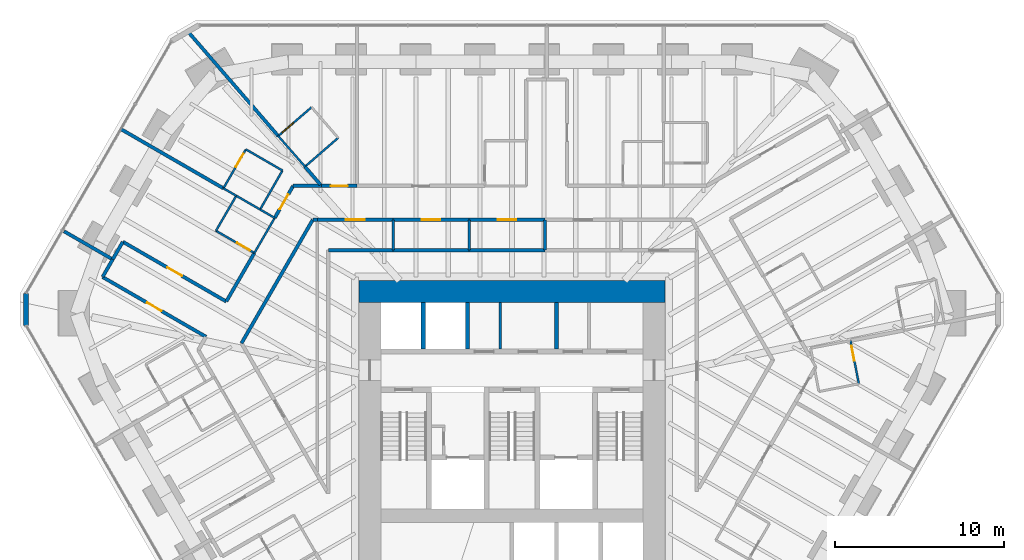
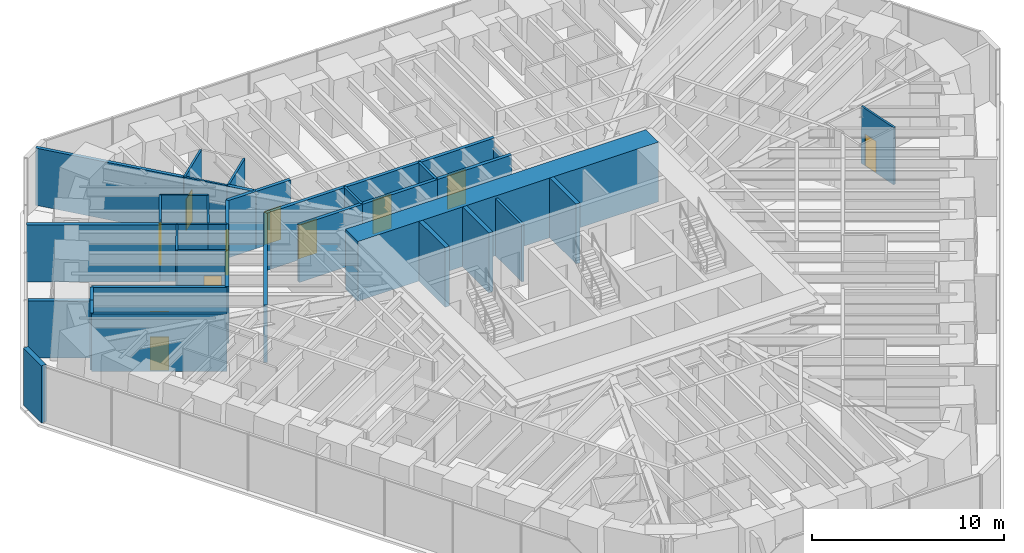
# One storey, part 14 of 17: 42 walls, 11 doors, 11 openings.
"""IFC4 building model written with IfcOpenShell, lengths in metres."""

from ifc_helpers import new_model, si_unit, direction, frame, frame_2d, origin, place, context, subcontext, project, spatial, rectangle, extrude, material, layer, layer_set, type_object, element, fill, save


model = new_model("IFC4")

# Units and contexts
model_context = context("Model", 3, precision=1e-05, world=origin(), true_north=direction((0.0, 1.0)))
body_context = subcontext(model_context, "Body", "Model", "MODEL_VIEW")
ifc_project = project(units=[si_unit("LENGTHUNIT", "METRE"), si_unit("AREAUNIT", "SQUARE_METRE"), si_unit("VOLUMEUNIT", "CUBIC_METRE"), si_unit("PLANEANGLEUNIT", "RADIAN"), si_unit("MASSUNIT", "GRAM", prefix="KILO")], contexts=[model_context])

# Site, building, storey
site_placement = place(None, origin())
site = spatial("IfcSite", under=ifc_project, at=site_placement, CompositionType="ELEMENT")
building_placement = place(site_placement, origin())
building = spatial("IfcBuilding", under=site, at=building_placement, Name="Sandreach Pilgrim Tower", CompositionType="ELEMENT")
storey_placement = place(building_placement, frame((0.0, 0.0, 165.199951171875)))
storey = spatial("IfcBuildingStorey", under=building, at=storey_placement, Name="L41", CompositionType="ELEMENT", Elevation=165.199951171875)

# Walls
ifc_material_1 = material(Name="Gypsum board on steel studs", Category="steel")
ifc_layer_1 = layer(ifc_material_1, 0.14990234375)
ifc_layer_set_1 = layer_set([ifc_layer_1], Name="Back of house wall 150")
wall_type_1 = type_object("IfcWallType", Name="Back of house wall 150", PredefinedType="PARTITIONING", material=ifc_layer_set_1)
for number, where, z_axis, x_axis, name in (
    (1, (-7.02001953125, 10.989990234375, 0.0), (0.0, 0.0, 1.0), (0.0, -1.0, 0.0), "Back of house wall L41-064"),
    (2, (-2.530029296875, 10.989990234375, 0.0), (0.0, 0.0, 1.0), (0.0, -1.0, 0.0), "Back of house wall L41-083"),
):
    element("IfcWall", number, at=place(storey_placement, frame(where, z_axis=z_axis, x_axis=x_axis)), inside=storey, type_object=wall_type_1, Name=name, PredefinedType="PARTITIONING", context=body_context, shape_type="SweptSolid", body=[
        extrude(rectangle(XDim=1.7900390625, YDim=0.14990234375, at=frame_2d((0.89501953125, 0.0))), origin(), (0.0, 0.0, 1.0), 3.64013671875),
    ])
wall_1_placement = place(storey_placement, frame((1.949951171875, 10.989990234375, 0.0), z_axis=(0.0, 0.0, 1.0), x_axis=(0.0, -1.0, 0.0)))
element("IfcWall", 3, at=wall_1_placement, inside=storey, type_object=wall_type_1, Name="Back of house wall L41-099", PredefinedType="PARTITIONING", context=body_context, shape_type="SweptSolid", body=[
    extrude(rectangle(XDim=1.7900390625, YDim=0.14990234375, at=frame_2d((0.89501953125, 0.0))), origin(), (0.0, 0.0, 1.0), 3.02294921875),
])
wall_2_placement = place(storey_placement, frame((-0.699951171875, 3.35009765625, 0.0), z_axis=(0.0, 0.0, 1.0), x_axis=(0.0, 1.0, 0.0)))
element("IfcWall", 4, at=wall_2_placement, inside=storey, type_object=wall_type_1, Name="Core room partition L41 1", PredefinedType="PARTITIONING", context=body_context, shape_type="SweptSolid", body=[
    extrude(rectangle(XDim=2.75, YDim=0.14990234375, at=frame_2d((1.375, 0.0))), origin(), (0.0, 0.0, 1.0), 3.64013671875),
])

# Wall, opening, door
ifc_material_2 = material(Name="Moisture-resistant gypsum board on steel studs", Category="steel")
ifc_layer_2 = layer(ifc_material_2, 0.1201171875)
ifc_layer_set_2 = layer_set([ifc_layer_2], Name="Bathroom partition 120")
wall_type_2 = type_object("IfcWallType", Name="Bathroom partition 120", PredefinedType="PARTITIONING", material=ifc_layer_set_2)
wall_3_placement = place(storey_placement, frame((-17.489990234375, 10.340087890625, 0.0), z_axis=(0.0, 0.0, 1.0), x_axis=(0.866114241029, -0.499846097802, 0.0)))
wall_3 = element("IfcWall", 5, at=wall_3_placement, inside=storey, type_object=wall_type_2, Name="Bathroom partition L41-022", PredefinedType="PARTITIONING", context=body_context, shape_type="SweptSolid", body=[
    extrude(rectangle(XDim=2.620849609375, YDim=0.1201171875, at=frame_2d((1.310546875, 0.0))), origin(), (0.0, 0.0, 1.0), 3.64013671875),
])
opening_1_placement = place(wall_3_placement, frame((1.4208984375, 0.0, 0.0)))
opening_1 = element("IfcOpeningElement", 6, at=opening_1_placement, cuts=wall_3, Name="Opening D09-17B", PredefinedType="OPENING", context=body_context, shape_type="SweptSolid", body=[
    extrude(rectangle(XDim=0.89990234375, YDim=2.030029296875, at=frame_2d((0.449951171875, 1.01513671875))), frame((0.0, 0.06005859375, 0.0), z_axis=(0.0, -1.0, 0.0), x_axis=(1.0, 0.0, 0.0)), (0.0, 0.0, 1.0), 0.1201171875),
])
ifc_material_3 = material(Name="Timber door, steel frame", Category="steel")
door_type_1 = type_object("IfcDoorType", Name="Bathroom door", OperationType="SINGLE_SWING_LEFT", PredefinedType="DOOR", material=ifc_material_3)
door_1_placement = place(opening_1_placement, origin())
door_1 = element("IfcDoor", 7, at=door_1_placement, inside=storey, type_object=door_type_1, Name="Door 4117B", OperationType="SINGLE_SWING_RIGHT", OverallHeight=2.030029296875, OverallWidth=0.89990234375, PredefinedType="DOOR", context=body_context, shape_type="SweptSolid", body=[
    extrude(rectangle(XDim=0.89990234375, YDim=2.030029296875, at=frame_2d((0.449951171875, 1.01513671875))), frame((0.0, 0.02490234375, 0.0), z_axis=(0.0, -1.0, 0.0), x_axis=(1.0, 0.0, 0.0)), (0.0, 0.0, 1.0), 0.050048828125),
])
fill(opening_1, door_1)

# Walls
wall_4_placement = place(storey_placement, frame((-17.050537109375, 12.849365234375, 0.0), z_axis=(0.0, 0.0, 1.0), x_axis=(0.865838315616, -0.500323906295, 0.0)))
element("IfcWall", 8, at=wall_4_placement, inside=storey, type_object=wall_type_2, Name="Bathroom partition L41-024", PredefinedType="PARTITIONING", context=body_context, shape_type="SweptSolid", body=[
    extrude(rectangle(XDim=0.87841796875, YDim=0.1201171875, at=frame_2d((0.439208984375, 0.0))), origin(), (0.0, 0.0, 1.0), 3.64013671875),
])
wall_5_placement = place(storey_placement, frame((-16.2900390625, 12.409912109375, 0.0), z_axis=(0.0, 0.0, 1.0), x_axis=(-0.501547039172, -0.865130376012, 0.0)))
element("IfcWall", 9, at=wall_5_placement, inside=storey, type_object=wall_type_2, Name="Bathroom partition L41-028", PredefinedType="PARTITIONING", context=body_context, shape_type="SweptSolid", body=[
    extrude(rectangle(XDim=2.392578125, YDim=0.1201171875, at=frame_2d((1.1962890625, 0.0))), origin(), (0.0, 0.0, 1.0), 3.64013671875),
])
wall_6_placement = place(storey_placement, frame((-16.2900390625, 12.409912109375, 0.0), z_axis=(0.0, 0.0, 1.0), x_axis=(0.866138091645, -0.499804768086, 0.0)))
element("IfcWall", 10, at=wall_6_placement, inside=storey, type_object=wall_type_2, Name="Bathroom partition L41-029", PredefinedType="PARTITIONING", context=body_context, shape_type="SweptSolid", body=[
    extrude(rectangle(XDim=1.626220703125, YDim=0.1201171875, at=frame_2d((0.81298828125, 0.0))), origin(), (0.0, 0.0, 1.0), 3.64013671875),
])

# Wall, opening, door
wall_7_placement = place(storey_placement, frame((-15.719970703125, 15.14990234375, 0.0), z_axis=(0.0, 0.0, 1.0), x_axis=(-0.500605174168, -0.865675724273, 0.0)))
wall_7 = element("IfcWall", 11, at=wall_7_placement, inside=storey, type_object=wall_type_2, Name="Bathroom partition L41-031", PredefinedType="PARTITIONING", context=body_context, shape_type="SweptSolid", body=[
    extrude(rectangle(XDim=2.656982421875, YDim=0.1201171875, at=frame_2d((1.32861328125, 0.0))), origin(), (0.0, 0.0, 1.0), 3.64013671875),
])
opening_2_placement = place(wall_7_placement, frame((0.300048828125, 0.0, 0.0)))
opening_2 = element("IfcOpeningElement", 12, at=opening_2_placement, cuts=wall_7, Name="Opening D09-18B", PredefinedType="OPENING", context=body_context, shape_type="SweptSolid", body=[
    extrude(rectangle(XDim=0.89990234375, YDim=2.030029296875, at=frame_2d((0.449951171875, 1.01513671875))), frame((0.0, 0.06005859375, 0.0), z_axis=(0.0, -1.0, 0.0), x_axis=(1.0, 0.0, 0.0)), (0.0, 0.0, 1.0), 0.1201171875),
])
door_2_placement = place(opening_2_placement, origin())
door_2 = element("IfcDoor", 13, at=door_2_placement, inside=storey, type_object=door_type_1, Name="Door 4118B", OperationType="SINGLE_SWING_LEFT", OverallHeight=2.030029296875, OverallWidth=0.89990234375, PredefinedType="DOOR", context=body_context, shape_type="SweptSolid", body=[
    extrude(rectangle(XDim=0.89990234375, YDim=2.030029296875, at=frame_2d((0.449951171875, 1.01513671875))), frame((0.0, 0.02490234375, 0.0), z_axis=(0.0, -1.0, 0.0), x_axis=(1.0, 0.0, 0.0)), (0.0, 0.0, 1.0), 0.050048828125),
])
fill(opening_2, door_2)

# Walls
wall_8_placement = place(storey_placement, frame((-15.219970703125, 9.030029296875, 0.0), z_axis=(0.0, 0.0, 1.0), x_axis=(0.501502765098, 0.865156041763, 0.0)))
element("IfcWall", 14, at=wall_8_placement, inside=storey, type_object=wall_type_2, Name="Bathroom partition L41-032", PredefinedType="PARTITIONING", context=body_context, shape_type="SweptSolid", body=[
    extrude(rectangle(XDim=2.392822265625, YDim=0.1201171875, at=frame_2d((1.1962890625, 0.0))), origin(), (0.0, 0.0, 1.0), 3.64013671875),
])
wall_9_placement = place(storey_placement, frame((-14.881591796875, 11.59716796875, 0.0), z_axis=(0.0, 0.0, 1.0), x_axis=(0.866181499781, -0.499729536286, 0.0)))
element("IfcWall", 15, at=wall_9_placement, inside=storey, type_object=wall_type_2, Name="Bathroom partition L41-035", PredefinedType="PARTITIONING", context=body_context, shape_type="SweptSolid", body=[
    extrude(rectangle(XDim=0.99462890625, YDim=0.1201171875, at=frame_2d((0.497314453125, 0.0))), origin(), (0.0, 0.0, 1.0), 3.64013671875),
])
wall_10_placement = place(storey_placement, frame((-14.8798828125, 11.60009765625, 0.0), z_axis=(0.0, 0.0, 1.0), x_axis=(0.497704656183, 0.867346571569, 0.0)))
element("IfcWall", 16, at=wall_10_placement, inside=storey, type_object=wall_type_2, Name="Bathroom partition L41-036", PredefinedType="PARTITIONING", context=body_context, shape_type="SweptSolid", body=[
    extrude(rectangle(XDim=2.65185546875, YDim=0.1201171875, at=frame_2d((1.325927734375, 0.0))), origin(), (0.0, 0.0, 1.0), 3.64013671875),
])
wall_11_placement = place(storey_placement, frame((-13.81005859375, 15.93994140625, 0.0), z_axis=(0.0, 0.0, 1.0), x_axis=(0.657626528627, -0.753344110514, 0.0)))
element("IfcWall", 17, at=wall_11_placement, inside=storey, type_object=wall_type_2, Name="Bathroom partition L41-040", PredefinedType="PARTITIONING", context=body_context, shape_type="SweptSolid", body=[
    extrude(rectangle(XDim=2.402587890625, YDim=0.1201171875, at=frame_2d((1.201171875, 0.0))), origin(), (0.0, 0.0, 1.0), 3.64013671875),
])
wall_12_placement = place(storey_placement, frame((-13.56005859375, 13.89990234375, 0.0), z_axis=(0.0, 0.0, 1.0), x_axis=(-0.865508881864, 0.500893576935, 0.0)))
element("IfcWall", 18, at=wall_12_placement, inside=storey, type_object=wall_type_2, Name="Bathroom partition L41-042", PredefinedType="PARTITIONING", context=body_context, shape_type="SweptSolid", body=[
    extrude(rectangle(XDim=2.49560546875, YDim=0.1201171875, at=frame_2d((1.247802734375, 0.0))), origin(), (0.0, 0.0, 1.0), 3.64013671875),
])
wall_13_placement = place(storey_placement, frame((-12.22998046875, 14.1298828125, 0.0), z_axis=(0.0, 0.0, 1.0), x_axis=(0.755390958893, 0.655274369423, 0.0)))
element("IfcWall", 19, at=wall_13_placement, inside=storey, type_object=wall_type_2, Name="Bathroom partition L41-045", PredefinedType="PARTITIONING", context=body_context, shape_type="SweptSolid", body=[
    extrude(rectangle(XDim=2.5947265625, YDim=0.1201171875, at=frame_2d((1.29736328125, 0.0))), origin(), (0.0, 0.0, 1.0), 3.64013671875),
])

# Wall, opening, door
wall_14_placement = place(storey_placement, frame((-11.840087890625, 17.639892578125, 0.0), z_axis=(0.0, 0.0, 1.0), x_axis=(-0.757086659925, -0.653314464377, 0.0)))
wall_14 = element("IfcWall", 20, at=wall_14_placement, inside=storey, type_object=wall_type_2, Name="Bathroom partition L41-046", PredefinedType="PARTITIONING", context=body_context, shape_type="SweptSolid", body=[
    extrude(rectangle(XDim=2.60205078125, YDim=0.1201171875, at=frame_2d((1.301025390625, 0.0))), origin(), (0.0, 0.0, 1.0), 3.64013671875),
])
opening_3_placement = place(wall_14_placement, frame((1.402099609375, 0.0, 0.0)))
opening_3 = element("IfcOpeningElement", 21, at=opening_3_placement, cuts=wall_14, Name="Opening D09-01B", PredefinedType="OPENING", context=body_context, shape_type="SweptSolid", body=[
    extrude(rectangle(XDim=0.89990234375, YDim=2.030029296875, at=frame_2d((0.449951171875, 1.01513671875))), frame((0.0, 0.06005859375, 0.0), z_axis=(0.0, -1.0, 0.0), x_axis=(1.0, 0.0, 0.0)), (0.0, 0.0, 1.0), 0.1201171875),
])
door_3_placement = place(opening_3_placement, origin())
door_3 = element("IfcDoor", 22, at=door_3_placement, inside=storey, type_object=door_type_1, Name="Door 4101B", OperationType="SINGLE_SWING_RIGHT", OverallHeight=2.030029296875, OverallWidth=0.89990234375, PredefinedType="DOOR", context=body_context, shape_type="SweptSolid", body=[
    extrude(rectangle(XDim=0.89990234375, YDim=2.030029296875, at=frame_2d((0.449951171875, 1.01513671875))), frame((0.0, 0.02490234375, 0.0), z_axis=(0.0, -1.0, 0.0), x_axis=(1.0, 0.0, 0.0)), (0.0, 0.0, 1.0), 0.050048828125),
])
fill(opening_3, door_3)

wall_15_placement = place(storey_placement, frame((20.489990234375, 1.300048828125, 0.0), z_axis=(0.0, 0.0, 1.0), x_axis=(-0.188697442844, 0.982035271802, 0.0)))
wall_15 = element("IfcWall", 23, at=wall_15_placement, inside=storey, type_object=wall_type_2, Name="Bathroom partition L41-174", PredefinedType="PARTITIONING", context=body_context, shape_type="SweptSolid", body=[
    extrude(rectangle(XDim=2.5966796875, YDim=0.1201171875, at=frame_2d((1.29833984375, 0.0))), origin(), (0.0, 0.0, 1.0), 3.64013671875),
])
opening_4_placement = place(wall_15_placement, frame((1.396728515625, 0.0, 0.0)))
opening_4 = element("IfcOpeningElement", 24, at=opening_4_placement, cuts=wall_15, Name="Opening D09-07B", PredefinedType="OPENING", context=body_context, shape_type="SweptSolid", body=[
    extrude(rectangle(XDim=0.89990234375, YDim=2.030029296875, at=frame_2d((0.449951171875, 1.01513671875))), frame((0.0, 0.06005859375, 0.0), z_axis=(0.0, -1.0, 0.0), x_axis=(1.0, 0.0, 0.0)), (0.0, 0.0, 1.0), 0.1201171875),
])
door_4_placement = place(opening_4_placement, origin())
door_4 = element("IfcDoor", 25, at=door_4_placement, inside=storey, type_object=door_type_1, Name="Door 4107B", OperationType="SINGLE_SWING_RIGHT", OverallHeight=2.030029296875, OverallWidth=0.89990234375, PredefinedType="DOOR", context=body_context, shape_type="SweptSolid", body=[
    extrude(rectangle(XDim=0.89990234375, YDim=2.030029296875, at=frame_2d((0.449951171875, 1.01513671875))), frame((0.0, 0.02490234375, 0.0), z_axis=(0.0, -1.0, 0.0), x_axis=(1.0, 0.0, 0.0)), (0.0, 0.0, 1.0), 0.050048828125),
])
fill(opening_4, door_4)

# Wall
ifc_material_4 = material(Name="Concrete 10000 psi", Category="concrete")
ifc_layer_3 = layer(ifc_material_4, 1.300048828125)
ifc_layer_set_3 = layer_set([ifc_layer_3], Name="Core wall 1300")
wall_type_3 = type_object("IfcWallType", Name="Core wall 1300", PredefinedType="SHEAR", material=ifc_layer_set_3)
wall_16_placement = place(storey_placement, frame((-9.050048828125, 6.75, 0.0), z_axis=(0.0, 0.0, 1.0), x_axis=(1.0, 0.0, 0.0)))
element("IfcWall", 26, at=wall_16_placement, inside=storey, type_object=wall_type_3, Name="Core wall N L41", PredefinedType="SHEAR", context=body_context, shape_type="SweptSolid", body=[
    extrude(rectangle(XDim=18.10009765625, YDim=1.300048828125, at=frame_2d((9.050048828125, 0.0))), origin(), (0.0, 0.0, 1.0), 3.800048828125),
])

# Wall, opening, door
ifc_material_5 = material(Name="Gypsum board on steel studs, two layers each side", Category="steel")
ifc_layer_4 = layer(ifc_material_5, 0.199951171875)
ifc_layer_set_4 = layer_set([ifc_layer_4], Name="Corridor wall 200")
wall_type_4 = type_object("IfcWallType", Name="Corridor wall 200", PredefinedType="PARTITIONING", material=ifc_layer_set_4)
wall_17_placement = place(storey_placement, frame((-24.18994140625, 7.610107421875, 0.0), z_axis=(0.0, 0.0, 1.0), x_axis=(0.865872067236, -0.500265492694, 0.0)))
wall_17 = element("IfcWall", 27, at=wall_17_placement, inside=storey, type_object=wall_type_4, Name="Corridor wall L41-003", PredefinedType="PARTITIONING", context=body_context, shape_type="SweptSolid", body=[
    extrude(rectangle(XDim=7.056396484375, YDim=0.199951171875, at=frame_2d((3.5283203125, 0.0))), origin(), (0.0, 0.0, 1.0), 3.64013671875),
])
opening_5_placement = place(wall_17_placement, frame((3.0283203125, 0.0, 0.0)))
opening_5 = element("IfcOpeningElement", 28, at=opening_5_placement, cuts=wall_17, Name="Opening D10-16", PredefinedType="OPENING", context=body_context, shape_type="SweptSolid", body=[
    extrude(rectangle(XDim=1.0, YDim=2.1298828125, at=frame_2d((0.5, 1.06494140625))), frame((0.0, 0.10009765625, 0.0), z_axis=(0.0, -1.0, 0.0), x_axis=(1.0, 0.0, 0.0)), (0.0, 0.0, 1.0), 0.199951171875),
])
ifc_material_6 = material(Name="Steel door and frame", Category="steel")
door_type_2 = type_object("IfcDoorType", Name="Guest room entry door", OperationType="SINGLE_SWING_LEFT", PredefinedType="DOOR", material=ifc_material_6)
door_5_placement = place(opening_5_placement, origin())
door_5 = element("IfcDoor", 29, at=door_5_placement, inside=storey, type_object=door_type_2, Name="Door 4116", OperationType="SINGLE_SWING_LEFT", OverallHeight=2.1298828125, OverallWidth=1.0, PredefinedType="DOOR", context=body_context, shape_type="SweptSolid", body=[
    extrude(rectangle(XDim=1.0, YDim=2.1298828125, at=frame_2d((0.5, 1.06494140625))), frame((0.0, 0.02490234375, 0.0), z_axis=(0.0, -1.0, 0.0), x_axis=(1.0, 0.0, 0.0)), (0.0, 0.0, 1.0), 0.050048828125),
])
fill(opening_5, door_5)

# Walls
wall_18_placement = place(storey_placement, frame((-24.18505859375, 7.61865234375, 0.0), z_axis=(0.0, 0.0, 1.0), x_axis=(0.49964553876, 0.86622995538, 0.0)))
element("IfcWall", 30, at=wall_18_placement, inside=storey, type_object=wall_type_4, Name="Corridor wall L41-004", PredefinedType="PARTITIONING", context=body_context, shape_type="SweptSolid", body=[
    extrude(rectangle(XDim=1.190673828125, YDim=0.199951171875, at=frame_2d((0.59521484375, 0.0))), origin(), (0.0, 0.0, 1.0), 3.64013671875),
])
wall_19_placement = place(storey_placement, frame((-23.590087890625, 8.650146484375, 0.0), z_axis=(0.0, 0.0, 1.0), x_axis=(0.499793761865, 0.866144442689, 0.0)))
element("IfcWall", 31, at=wall_19_placement, inside=storey, type_object=wall_type_4, Name="Corridor wall L41-005", PredefinedType="PARTITIONING", context=body_context, shape_type="SweptSolid", body=[
    extrude(rectangle(XDim=1.185546875, YDim=0.199951171875, at=frame_2d((0.5927734375, 0.0))), origin(), (0.0, 0.0, 1.0), 3.64013671875),
])

# Wall, opening, door
wall_20_placement = place(storey_placement, frame((-16.8798828125, 6.159912109375, 0.0), z_axis=(0.0, 0.0, 1.0), x_axis=(-0.86588072576, 0.500250506004, 0.0)))
wall_20 = element("IfcWall", 32, at=wall_20_placement, inside=storey, type_object=wall_type_4, Name="Corridor wall L41-025", PredefinedType="PARTITIONING", context=body_context, shape_type="SweptSolid", body=[
    extrude(rectangle(XDim=7.056640625, YDim=0.199951171875, at=frame_2d((3.5283203125, 0.0))), origin(), (0.0, 0.0, 1.0), 3.64013671875),
])
opening_6_placement = place(wall_20_placement, frame((3.0283203125, 0.0, 0.0)))
opening_6 = element("IfcOpeningElement", 33, at=opening_6_placement, cuts=wall_20, Name="Opening D10-17", PredefinedType="OPENING", context=body_context, shape_type="SweptSolid", body=[
    extrude(rectangle(XDim=1.0, YDim=2.1298828125, at=frame_2d((0.5, 1.06494140625))), frame((0.0, 0.10009765625, 0.0), z_axis=(0.0, -1.0, 0.0), x_axis=(1.0, 0.0, 0.0)), (0.0, 0.0, 1.0), 0.199951171875),
])
door_6_placement = place(opening_6_placement, origin())
door_6 = element("IfcDoor", 34, at=door_6_placement, inside=storey, type_object=door_type_2, Name="Door 4117", OperationType="SINGLE_SWING_LEFT", OverallHeight=2.1298828125, OverallWidth=1.0, PredefinedType="DOOR", context=body_context, shape_type="SweptSolid", body=[
    extrude(rectangle(XDim=1.0, YDim=2.1298828125, at=frame_2d((0.5, 1.06494140625))), frame((0.0, 0.02490234375, 0.0), z_axis=(0.0, -1.0, 0.0), x_axis=(1.0, 0.0, 0.0)), (0.0, 0.0, 1.0), 0.050048828125),
])
fill(opening_6, door_6)

# Walls
wall_21_placement = place(storey_placement, frame((-16.875, 6.168701171875, 0.0), z_axis=(0.0, 0.0, 1.0), x_axis=(0.500689767595, 0.865626799854, 0.0)))
element("IfcWall", 35, at=wall_21_placement, inside=storey, type_object=wall_type_4, Name="Corridor wall L41-026", PredefinedType="PARTITIONING", context=body_context, shape_type="SweptSolid", body=[
    extrude(rectangle(XDim=3.305419921875, YDim=0.199951171875, at=frame_2d((1.65283203125, 0.0))), origin(), (0.0, 0.0, 1.0), 3.64013671875),
])
wall_22_placement = place(storey_placement, frame((-15.97998046875, 3.699951171875, 0.0), z_axis=(0.0, 0.0, 1.0), x_axis=(0.500093981358, 0.865971136822, 0.0)))
element("IfcWall", 36, at=wall_22_placement, inside=storey, type_object=wall_type_4, Name="Corridor wall L41-030", PredefinedType="PARTITIONING", context=body_context, shape_type="SweptSolid", body=[
    extrude(rectangle(XDim=8.41845703125, YDim=0.199951171875, at=frame_2d((4.209228515625, 0.0))), origin(), (0.0, 0.0, 1.0), 3.64013671875),
])

# Wall, opening, door
wall_23_placement = place(storey_placement, frame((-14.02001953125, 11.10009765625, 0.0), z_axis=(0.0, 0.0, 1.0), x_axis=(0.499641723021, 0.866232156305, 0.0)))
wall_23 = element("IfcWall", 37, at=wall_23_placement, inside=storey, type_object=wall_type_4, Name="Corridor wall L41-039", PredefinedType="PARTITIONING", context=body_context, shape_type="SweptSolid", body=[
    extrude(rectangle(XDim=2.181640625, YDim=0.199951171875, at=frame_2d((1.0908203125, 0.0))), origin(), (0.0, 0.0, 1.0), 3.64013671875),
])
opening_7_placement = place(wall_23_placement, frame((0.5908203125, 0.0, 0.0)))
opening_7 = element("IfcOpeningElement", 38, at=opening_7_placement, cuts=wall_23, Name="Opening D10-18", PredefinedType="OPENING", context=body_context, shape_type="SweptSolid", body=[
    extrude(rectangle(XDim=1.0, YDim=2.1298828125, at=frame_2d((0.5, 1.06494140625))), frame((0.0, 0.10009765625, 0.0), z_axis=(0.0, -1.0, 0.0), x_axis=(1.0, 0.0, 0.0)), (0.0, 0.0, 1.0), 0.199951171875),
])
door_7_placement = place(opening_7_placement, origin())
door_7 = element("IfcDoor", 39, at=door_7_placement, inside=storey, type_object=door_type_2, Name="Door 4118", OperationType="SINGLE_SWING_LEFT", OverallHeight=2.1298828125, OverallWidth=1.0, PredefinedType="DOOR", context=body_context, shape_type="SweptSolid", body=[
    extrude(rectangle(XDim=1.0, YDim=2.1298828125, at=frame_2d((0.5, 1.06494140625))), frame((0.0, 0.02490234375, 0.0), z_axis=(0.0, -1.0, 0.0), x_axis=(1.0, 0.0, 0.0)), (0.0, 0.0, 1.0), 0.050048828125),
])
fill(opening_7, door_7)

# Wall
wall_24_placement = place(storey_placement, frame((-11.77001953125, 10.989990234375, 0.0), z_axis=(0.0, 0.0, 1.0), x_axis=(1.0, 0.0, 0.0)))
element("IfcWall", 40, at=wall_24_placement, inside=storey, type_object=wall_type_4, Name="Corridor wall L41-047", PredefinedType="PARTITIONING", context=body_context, shape_type="SweptSolid", body=[
    extrude(rectangle(XDim=0.27001953125, YDim=0.199951171875, at=frame_2d((0.135009765625, 0.0))), origin(), (0.0, 0.0, 1.0), 3.64013671875),
])

# Wall, opening, door
wall_25_placement = place(storey_placement, frame((-11.5, 10.989990234375, 0.0), z_axis=(0.0, 0.0, 1.0), x_axis=(1.0, 0.0, 0.0)))
wall_25 = element("IfcWall", 41, at=wall_25_placement, inside=storey, type_object=wall_type_4, Name="Corridor wall L41-051", PredefinedType="PARTITIONING", context=body_context, shape_type="SweptSolid", body=[
    extrude(rectangle(XDim=4.47998046875, YDim=0.199951171875, at=frame_2d((2.239990234375, 0.0))), origin(), (0.0, 0.0, 1.0), 3.64013671875),
])
opening_8_placement = place(wall_25_placement, frame((1.68994140625, 0.0, 0.0)))
opening_8 = element("IfcOpeningElement", 42, at=opening_8_placement, cuts=wall_25, Name="Opening D11H-M02", PredefinedType="OPENING", context=body_context, shape_type="SweptSolid", body=[
    extrude(rectangle(XDim=1.10009765625, YDim=2.199951171875, at=frame_2d((0.550048828125, 1.10009765625))), frame((0.0, 0.10009765625, 0.0), z_axis=(0.0, -1.0, 0.0), x_axis=(1.0, 0.0, 0.0)), (0.0, 0.0, 1.0), 0.199951171875),
])
ifc_material_7 = material(Name="Steel door and frame", Category="steel")
door_type_3 = type_object("IfcDoorType", Name="Back of house door", OperationType="SINGLE_SWING_LEFT", PredefinedType="DOOR", material=ifc_material_7)
door_8_placement = place(opening_8_placement, origin())
door_8 = element("IfcDoor", 43, at=door_8_placement, inside=storey, type_object=door_type_3, Name="Door 41M02", OperationType="SINGLE_SWING_LEFT", OverallHeight=2.199951171875, OverallWidth=1.10009765625, PredefinedType="DOOR", context=body_context, shape_type="SweptSolid", body=[
    extrude(rectangle(XDim=1.10009765625, YDim=2.199951171875, at=frame_2d((0.550048828125, 1.10009765625))), frame((0.0, 0.02490234375, 0.0), z_axis=(0.0, -1.0, 0.0), x_axis=(1.0, 0.0, 0.0)), (0.0, 0.0, 1.0), 0.050048828125),
])
fill(opening_8, door_8)

# Wall
wall_26_placement = place(storey_placement, frame((-11.25, 12.989990234375, 0.0), z_axis=(0.0, 0.0, 1.0), x_axis=(-1.0, 0.0, 0.0)))
element("IfcWall", 44, at=wall_26_placement, inside=storey, type_object=wall_type_4, Name="Corridor wall L41-052", PredefinedType="PARTITIONING", context=body_context, shape_type="SweptSolid", body=[
    extrude(rectangle(XDim=1.679931640625, YDim=0.199951171875, at=frame_2d((0.83984375, 0.0))), origin(), (0.0, 0.0, 1.0), 3.64013671875),
])

# Wall, opening, door
wall_27_placement = place(storey_placement, frame((-9.159912109375, 12.989990234375, 0.0), z_axis=(0.0, 0.0, 1.0), x_axis=(-1.0, 0.0, 0.0)))
wall_27 = element("IfcWall", 45, at=wall_27_placement, inside=storey, type_object=wall_type_4, Name="Corridor wall L41-058", PredefinedType="PARTITIONING", context=body_context, shape_type="SweptSolid", body=[
    extrude(rectangle(XDim=2.090087890625, YDim=0.199951171875, at=frame_2d((1.044921875, 0.0))), origin(), (0.0, 0.0, 1.0), 3.64013671875),
])
opening_9_placement = place(wall_27_placement, frame((0.544921875, 0.0, 0.0)))
opening_9 = element("IfcOpeningElement", 46, at=opening_9_placement, cuts=wall_27, Name="Opening D10-01", PredefinedType="OPENING", context=body_context, shape_type="SweptSolid", body=[
    extrude(rectangle(XDim=1.0, YDim=2.1298828125, at=frame_2d((0.5, 1.06494140625))), frame((0.0, 0.10009765625, 0.0), z_axis=(0.0, -1.0, 0.0), x_axis=(1.0, 0.0, 0.0)), (0.0, 0.0, 1.0), 0.199951171875),
])
door_9_placement = place(opening_9_placement, origin())
door_9 = element("IfcDoor", 47, at=door_9_placement, inside=storey, type_object=door_type_2, Name="Door 4101", OperationType="SINGLE_SWING_LEFT", OverallHeight=2.1298828125, OverallWidth=1.0, PredefinedType="DOOR", context=body_context, shape_type="SweptSolid", body=[
    extrude(rectangle(XDim=1.0, YDim=2.1298828125, at=frame_2d((0.5, 1.06494140625))), frame((0.0, 0.02490234375, 0.0), z_axis=(0.0, -1.0, 0.0), x_axis=(1.0, 0.0, 0.0)), (0.0, 0.0, 1.0), 0.050048828125),
])
fill(opening_9, door_9)

# Wall
wall_28_placement = place(storey_placement, frame((-7.02001953125, 9.199951171875, 0.0), z_axis=(0.0, 0.0, 1.0), x_axis=(-1.0, 0.0, 0.0)))
element("IfcWall", 48, at=wall_28_placement, inside=storey, type_object=wall_type_4, Name="Corridor wall L41-063", PredefinedType="PARTITIONING", context=body_context, shape_type="SweptSolid", body=[
    extrude(rectangle(XDim=3.820068359375, YDim=0.199951171875, at=frame_2d((1.91015625, 0.0))), origin(), (0.0, 0.0, 1.0), 3.64013671875),
])

# Wall, opening, door
wall_29_placement = place(storey_placement, frame((-7.02001953125, 10.989990234375, 0.0), z_axis=(0.0, 0.0, 1.0), x_axis=(1.0, 0.0, 0.0)))
wall_29 = element("IfcWall", 49, at=wall_29_placement, inside=storey, type_object=wall_type_4, Name="Corridor wall L41-065", PredefinedType="PARTITIONING", context=body_context, shape_type="SweptSolid", body=[
    extrude(rectangle(XDim=4.489990234375, YDim=0.199951171875, at=frame_2d((2.2451171875, 0.0))), origin(), (0.0, 0.0, 1.0), 3.64013671875),
])
opening_10_placement = place(wall_29_placement, frame((1.695068359375, 0.0, 0.0)))
opening_10 = element("IfcOpeningElement", 50, at=opening_10_placement, cuts=wall_29, Name="Opening D11H-M03", PredefinedType="OPENING", context=body_context, shape_type="SweptSolid", body=[
    extrude(rectangle(XDim=1.10009765625, YDim=2.199951171875, at=frame_2d((0.550048828125, 1.10009765625))), frame((0.0, 0.10009765625, 0.0), z_axis=(0.0, -1.0, 0.0), x_axis=(1.0, 0.0, 0.0)), (0.0, 0.0, 1.0), 0.199951171875),
])
door_10_placement = place(opening_10_placement, origin())
door_10 = element("IfcDoor", 51, at=door_10_placement, inside=storey, type_object=door_type_3, Name="Door 41M03", OperationType="SINGLE_SWING_LEFT", OverallHeight=2.199951171875, OverallWidth=1.10009765625, PredefinedType="DOOR", context=body_context, shape_type="SweptSolid", body=[
    extrude(rectangle(XDim=1.10009765625, YDim=2.199951171875, at=frame_2d((0.550048828125, 1.10009765625))), frame((0.0, 0.02490234375, 0.0), z_axis=(0.0, -1.0, 0.0), x_axis=(1.0, 0.0, 0.0)), (0.0, 0.0, 1.0), 0.050048828125),
])
fill(opening_10, door_10)

# Wall
wall_30_placement = place(storey_placement, frame((-2.530029296875, 9.199951171875, 0.0), z_axis=(0.0, 0.0, 1.0), x_axis=(-1.0, 0.0, 0.0)))
element("IfcWall", 52, at=wall_30_placement, inside=storey, type_object=wall_type_4, Name="Corridor wall L41-082", PredefinedType="PARTITIONING", context=body_context, shape_type="SweptSolid", body=[
    extrude(rectangle(XDim=4.489990234375, YDim=0.199951171875, at=frame_2d((2.2451171875, 0.0))), origin(), (0.0, 0.0, 1.0), 3.64013671875),
])

# Wall, opening, door
wall_31_placement = place(storey_placement, frame((-2.530029296875, 10.989990234375, 0.0), z_axis=(0.0, 0.0, 1.0), x_axis=(1.0, 0.0, 0.0)))
wall_31 = element("IfcWall", 53, at=wall_31_placement, inside=storey, type_object=wall_type_4, Name="Corridor wall L41-084", PredefinedType="PARTITIONING", context=body_context, shape_type="SweptSolid", body=[
    extrude(rectangle(XDim=4.47998046875, YDim=0.199951171875, at=frame_2d((2.239990234375, 0.0))), origin(), (0.0, 0.0, 1.0), 3.64013671875),
])
opening_11_placement = place(wall_31_placement, frame((1.68994140625, 0.0, 0.0)))
opening_11 = element("IfcOpeningElement", 54, at=opening_11_placement, cuts=wall_31, Name="Opening D11H-M04", PredefinedType="OPENING", context=body_context, shape_type="SweptSolid", body=[
    extrude(rectangle(XDim=1.10009765625, YDim=2.199951171875, at=frame_2d((0.550048828125, 1.10009765625))), frame((0.0, 0.10009765625, 0.0), z_axis=(0.0, -1.0, 0.0), x_axis=(1.0, 0.0, 0.0)), (0.0, 0.0, 1.0), 0.199951171875),
])
door_11_placement = place(opening_11_placement, origin())
door_11 = element("IfcDoor", 55, at=door_11_placement, inside=storey, type_object=door_type_3, Name="Door 41M04", OperationType="SINGLE_SWING_LEFT", OverallHeight=2.199951171875, OverallWidth=1.10009765625, PredefinedType="DOOR", context=body_context, shape_type="SweptSolid", body=[
    extrude(rectangle(XDim=1.10009765625, YDim=2.199951171875, at=frame_2d((0.550048828125, 1.10009765625))), frame((0.0, 0.02490234375, 0.0), z_axis=(0.0, -1.0, 0.0), x_axis=(1.0, 0.0, 0.0)), (0.0, 0.0, 1.0), 0.050048828125),
])
fill(opening_11, door_11)

# Walls
wall_32_placement = place(storey_placement, frame((1.949951171875, 9.199951171875, 0.0), z_axis=(0.0, 0.0, 1.0), x_axis=(-1.0, 0.0, 0.0)))
element("IfcWall", 56, at=wall_32_placement, inside=storey, type_object=wall_type_4, Name="Corridor wall L41-098", PredefinedType="PARTITIONING", context=body_context, shape_type="SweptSolid", body=[
    extrude(rectangle(XDim=4.47998046875, YDim=0.199951171875, at=frame_2d((2.239990234375, 0.0))), origin(), (0.0, 0.0, 1.0), 3.64013671875),
])
ifc_material_8 = material(Name="Double steel stud acoustic wall, gypsum board", Category="steel")
ifc_layer_5 = layer(ifc_material_8, 0.199951171875)
ifc_layer_set_5 = layer_set([ifc_layer_5], Name="Party wall 200")
wall_type_5 = type_object("IfcWallType", Name="Party wall 200", PredefinedType="PARTITIONING", material=ifc_layer_set_5)
wall_33_placement = place(storey_placement, frame((-26.466064453125, 10.31005859375, 0.0), z_axis=(0.0, 0.0, 1.0), x_axis=(0.866076137997, -0.499912115469, 0.0)))
element("IfcWall", 57, at=wall_33_placement, inside=storey, type_object=wall_type_5, Name="Party wall L41-001", PredefinedType="PARTITIONING", context=body_context, shape_type="SweptSolid", body=[
    extrude(rectangle(XDim=3.3056640625, YDim=0.199951171875, at=frame_2d((1.65283203125, 0.0))), origin(), (0.0, 0.0, 1.0), 3.64013671875),
])
wall_34_placement = place(storey_placement, frame((-23.083984375, 16.3349609375, 0.0), z_axis=(0.0, 0.0, 1.0), x_axis=(0.865889693368, -0.500234983702, 0.0)))
element("IfcWall", 58, at=wall_34_placement, inside=storey, type_object=wall_type_5, Name="Party wall L41-006", PredefinedType="PARTITIONING", context=body_context, shape_type="SweptSolid", body=[
    extrude(rectangle(XDim=6.968017578125, YDim=0.199951171875, at=frame_2d((3.48388671875, 0.0))), origin(), (0.0, 0.0, 1.0), 3.64013671875),
])
wall_35_placement = place(storey_placement, frame((-19.160400390625, 22.127197265625, 0.0), z_axis=(0.0, 0.0, 1.0), x_axis=(0.654096091269, -0.756411464341, 0.0)))
element("IfcWall", 59, at=wall_35_placement, inside=storey, type_object=wall_type_5, Name="Party wall L41-013", PredefinedType="PARTITIONING", context=body_context, shape_type="SweptSolid", body=[
    extrude(rectangle(XDim=8.1796875, YDim=0.199951171875, at=frame_2d((4.08984375, 0.0))), origin(), (0.0, 0.0, 1.0), 3.64013671875),
])
wall_36_placement = place(storey_placement, frame((-12.232421875, 14.1279296875, 0.0), z_axis=(0.0, 0.0, 1.0), x_axis=(0.653452261281, -0.756967728656, 0.0)))
element("IfcWall", 60, at=wall_36_placement, inside=storey, type_object=wall_type_5, Name="Party wall L41-044", PredefinedType="PARTITIONING", context=body_context, shape_type="SweptSolid", body=[
    extrude(rectangle(XDim=1.4033203125, YDim=0.199951171875, at=frame_2d((0.70166015625, 0.0))), origin(), (0.0, 0.0, 1.0), 3.64013671875),
])
ifc_material_9 = material(Name="Gypsum shaft wall on steel studs, two layers of shaft liner board", Category="steel")
ifc_layer_6 = layer(ifc_material_9, 0.25)
ifc_layer_set_6 = layer_set([ifc_layer_6], Name="Shaft partition 250")
wall_type_6 = type_object("IfcWallType", Name="Shaft partition 250", PredefinedType="PARTITIONING", material=ifc_layer_set_6)
for number, where, z_axis, x_axis, name in (
    (61, (-5.25, 3.35009765625, 0.0), (0.0, 0.0, 1.0), (0.0, 1.0, 0.0), "Shaft partition NS0 L41"),
    (62, (-2.625, 3.35009765625, 0.0), (0.0, 0.0, 1.0), (0.0, 1.0, 0.0), "Shaft partition NS1 L41"),
    (63, (2.625, 3.35009765625, 0.0), (0.0, 0.0, 1.0), (0.0, 1.0, 0.0), "Shaft partition NS3 L41"),
):
    element("IfcWall", number, at=place(storey_placement, frame(where, z_axis=z_axis, x_axis=x_axis)), inside=storey, type_object=wall_type_6, Name=name, PredefinedType="PARTITIONING", context=body_context, shape_type="SweptSolid", body=[
        extrude(rectangle(XDim=2.75, YDim=0.25, at=frame_2d((1.375, 0.0))), origin(), (0.0, 0.0, 1.0), 3.800048828125),
    ])
ifc_material_10 = material(Name="Terracotta rainscreen on concrete", Category="masonry")
ifc_layer_7 = layer(ifc_material_10, 0.300048828125)
ifc_layer_set_7 = layer_set([ifc_layer_7], Name="Terracotta chamfer pier")
wall_type_7 = type_object("IfcWallType", Name="Terracotta chamfer pier", PredefinedType="SOLIDWALL", material=ifc_layer_set_7)
wall_37_placement = place(storey_placement, frame((-28.720947265625, 4.758544921875, 0.0), z_axis=(0.0, 0.0, 1.0), x_axis=(0.0, 1.0, 0.0)))
element("IfcWall", 64, at=wall_37_placement, inside=storey, type_object=wall_type_7, Name="Chamfer pier L41 SW", PredefinedType="SOLIDWALL", context=body_context, shape_type="SweptSolid", body=[
    extrude(rectangle(XDim=1.8798828125, YDim=0.300048828125, at=frame_2d((0.93994140625, 0.0))), origin(), (0.0, 0.0, 1.0), 3.64013671875),
])

save(model, "model.ifc")
